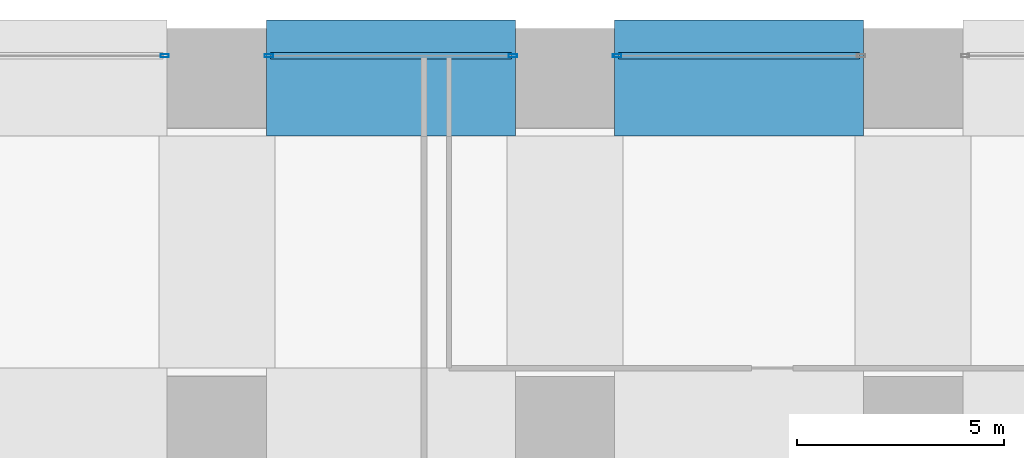
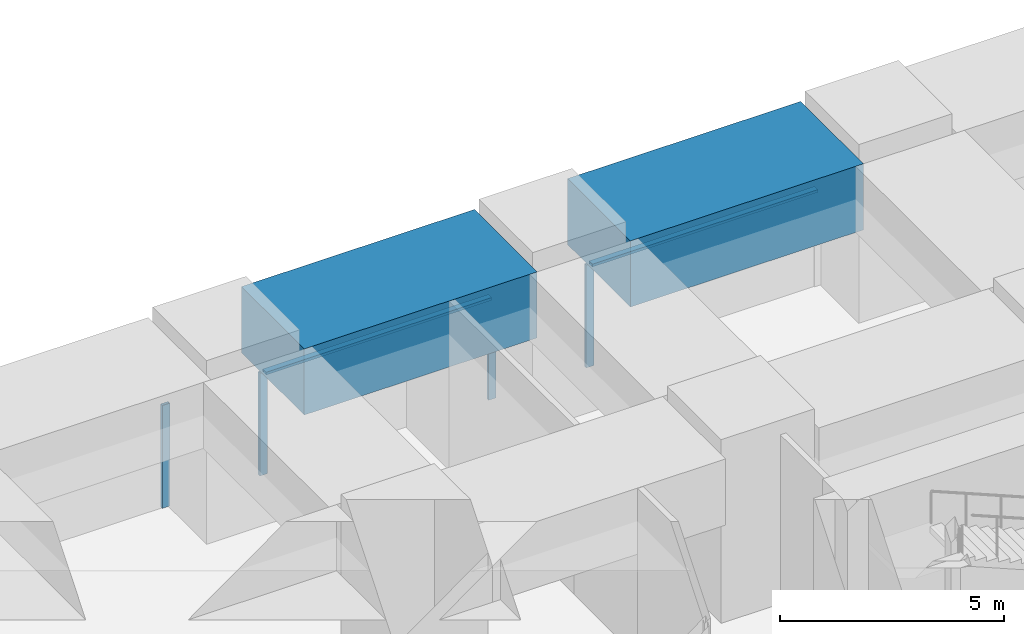
# One storey, part 25 of 52: 6 members, 2 beams, 3 elements without a shape of their own.
"""IFC4 building model written with IfcOpenShell, lengths in metres."""

from ifc_helpers import new_model, si_unit, direction, frame, origin, origin_2d, place, context, subcontext, project, spatial, rectangle, hollow_rectangle, extrude, material, material_profile, profile_set, type_object, element, aggregate, save


model = new_model("IFC4")

# Units and contexts
model_context = context("Model", 3, precision=1e-05, world=origin(), true_north=direction((0.0, 1.0)))
body_context = subcontext(model_context, "Body", "Model", "MODEL_VIEW")
ifc_project = project(units=[si_unit("LENGTHUNIT", "METRE"), si_unit("AREAUNIT", "SQUARE_METRE"), si_unit("VOLUMEUNIT", "CUBIC_METRE"), si_unit("PLANEANGLEUNIT", "RADIAN"), si_unit("MASSUNIT", "GRAM", prefix="KILO")], contexts=[model_context])

# Site, building, storey
site_placement = place(None, origin())
site = spatial("IfcSite", under=ifc_project, at=site_placement, CompositionType="ELEMENT")
building_placement = place(site_placement, origin())
building = spatial("IfcBuilding", under=site, at=building_placement, Name="Rekha Terrace Tower", CompositionType="ELEMENT")
storey_placement = place(building_placement, frame((0.0, 0.0, 20.39990234375)))
storey = spatial("IfcBuildingStorey", under=building, at=storey_placement, Name="L04", CompositionType="ELEMENT", Elevation=20.39990234375)

# Curtain wall, member
ifc_material_1 = material(Name="Aluminium framing", Category="aluminium")
curtain_wall_type = type_object("IfcCurtainWallType", Name="CW4 podium shopfront glazing", PredefinedType="USERDEFINED", material=ifc_material_1)
curtain_wall_1_placement = place(storey_placement, origin())
curtain_wall_1 = element("IfcCurtainWall", 1, at=curtain_wall_1_placement, inside=storey, type_object=curtain_wall_type, Name="CW4 shopfront curtain wall", ObjectType="SHOPFRONT CURTAIN WALL", PredefinedType="USERDEFINED")
ifc_material_2 = material(Name="Aluminium mullion section", Category="aluminium")
ifc_material_profile_1 = material_profile(ifc_material_2, hollow_rectangle(XDim=0.074951171875, YDim=0.199951171875, WallThickness=0.00390625, at=origin_2d()), Name="AL RHS 75x200")
ifc_profile_set_1 = profile_set([ifc_material_profile_1], Name="Aluminium mullion section")
member_type_1 = type_object("IfcMemberType", Name="CW4 mullion RHS 75 x 200", PredefinedType="MULLION", material=ifc_profile_set_1)
member_1_placement = place(storey_placement, frame((26.45751953125, 59.340087890625, 0.0), z_axis=(0.0, 0.0, 1.0), x_axis=(0.0, -1.0, 0.0)))
member_1 = element("IfcMember", 2, at=member_1_placement, type_object=member_type_1, Name="CW4 mullion 2", PredefinedType="MULLION", context=body_context, shape_type="SweptSolid", body=[
    extrude(hollow_rectangle(XDim=0.074951171875, YDim=0.199951171875, WallThickness=0.00390625, at=origin_2d()), origin(), (0.0, 0.0, 1.0), 2.800048828125),
])

# Curtain wall, members
curtain_wall_2_placement = place(storey_placement, origin())
curtain_wall_2 = element("IfcCurtainWall", 3, at=curtain_wall_2_placement, inside=storey, type_object=curtain_wall_type, Name="CW4 shopfront curtain wall", ObjectType="SHOPFRONT CURTAIN WALL", PredefinedType="USERDEFINED")
member_2_placement = place(storey_placement, frame((23.9423828125, 59.340087890625, 0.0), z_axis=(0.0, 0.0, 1.0), x_axis=(0.0, -1.0, 0.0)))
member_2 = element("IfcMember", 4, at=member_2_placement, type_object=member_type_1, Name="CW4 mullion 1", PredefinedType="MULLION", context=body_context, shape_type="SweptSolid", body=[
    extrude(hollow_rectangle(XDim=0.074951171875, YDim=0.199951171875, WallThickness=0.00390625, at=origin_2d()), origin(), (0.0, 0.0, 1.0), 2.800048828125),
])
member_3_placement = place(storey_placement, frame((18.0576171875, 59.340087890625, 0.0), z_axis=(0.0, 0.0, 1.0), x_axis=(0.0, -1.0, 0.0)))
member_3 = element("IfcMember", 5, at=member_3_placement, type_object=member_type_1, Name="CW4 mullion 2", PredefinedType="MULLION", context=body_context, shape_type="SweptSolid", body=[
    extrude(hollow_rectangle(XDim=0.074951171875, YDim=0.199951171875, WallThickness=0.00390625, at=origin_2d()), origin(), (0.0, 0.0, 1.0), 2.800048828125),
])

# Curtain wall, member
curtain_wall_3_placement = place(storey_placement, origin())
curtain_wall_3 = element("IfcCurtainWall", 6, at=curtain_wall_3_placement, inside=storey, type_object=curtain_wall_type, Name="CW4 shopfront curtain wall", ObjectType="SHOPFRONT CURTAIN WALL", PredefinedType="USERDEFINED")
member_4_placement = place(storey_placement, frame((15.54248046875, 59.340087890625, 0.0), z_axis=(0.0, 0.0, 1.0), x_axis=(0.0, -1.0, 0.0)))
member_4 = element("IfcMember", 7, at=member_4_placement, type_object=member_type_1, Name="CW4 mullion 1", PredefinedType="MULLION", context=body_context, shape_type="SweptSolid", body=[
    extrude(hollow_rectangle(XDim=0.074951171875, YDim=0.199951171875, WallThickness=0.00390625, at=origin_2d()), origin(), (0.0, 0.0, 1.0), 2.800048828125),
])
aggregate(curtain_wall_3, [member_4])

# Member
ifc_material_3 = material(Name="Aluminium transom section", Category="aluminium")
ifc_material_profile_2 = material_profile(ifc_material_3, hollow_rectangle(XDim=0.14990234375, YDim=0.074951171875, WallThickness=0.0029296875, at=origin_2d()), Name="AL RHS 150x75")
ifc_profile_set_2 = profile_set([ifc_material_profile_2], Name="Aluminium transom section")
member_type_2 = type_object("IfcMemberType", Name="CW4 transom RHS 75 x 150", PredefinedType="USERDEFINED", material=ifc_profile_set_2)
member_5_placement = place(storey_placement, frame((32.304931640625, 59.340087890625, 2.7626953125), z_axis=(-1.0, 0.0, 0.0), x_axis=(0.0, -1.0, 0.0)))
member_5 = element("IfcMember", 8, at=member_5_placement, type_object=member_type_2, Name="CW4 transom 1.2", ObjectType="TRANSOM", PredefinedType="USERDEFINED", context=body_context, shape_type="SweptSolid", body=[
    extrude(hollow_rectangle(XDim=0.14990234375, YDim=0.074951171875, WallThickness=0.0029296875, at=origin_2d()), origin(), (0.0, 0.0, 1.0), 5.809814453125),
])

aggregate(curtain_wall_1, [member_1, member_5])

member_6_placement = place(storey_placement, frame((23.905029296875, 59.340087890625, 2.7626953125), z_axis=(-1.0, 0.0, 0.0), x_axis=(0.0, -1.0, 0.0)))
member_6 = element("IfcMember", 9, at=member_6_placement, type_object=member_type_2, Name="CW4 transom 1.2", ObjectType="TRANSOM", PredefinedType="USERDEFINED", context=body_context, shape_type="SweptSolid", body=[
    extrude(hollow_rectangle(XDim=0.14990234375, YDim=0.074951171875, WallThickness=0.0029296875, at=origin_2d()), origin(), (0.0, 0.0, 1.0), 5.81005859375),
])

aggregate(curtain_wall_2, [member_2, member_3, member_6])

# Beams
ifc_material_4 = material(Name="Concrete M70", Category="concrete")
ifc_material_profile_3 = material_profile(ifc_material_4, rectangle(XDim=2.800048828125, YDim=1.800048828125, at=origin_2d()), Name="RC 2800x1800")
ifc_profile_set_3 = profile_set([ifc_material_profile_3], Name="Concrete M70")
beam_type = type_object("IfcBeamType", Name="G2 2800x1800 podium roof band beam", PredefinedType="BEAM", material=ifc_profile_set_3)
for number, where, z_axis, x_axis, name in (
    (10, (18.0, 58.800048828125, 3.7001953125), (1.0, 0.0, 0.0), (0.0, 1.0, 0.0), "Beam G2 3H-4H under L05"),
    (11, (26.39990234375, 58.800048828125, 3.7001953125), (1.0, 0.0, 0.0), (0.0, 1.0, 0.0), "Beam G2 4H-5H under L05"),
):
    element("IfcBeam", number, at=place(storey_placement, frame(where, z_axis=z_axis, x_axis=x_axis)), inside=storey, type_object=beam_type, Name=name, PredefinedType="BEAM", context=body_context, shape_type="SweptSolid", body=[
        extrude(rectangle(XDim=2.800048828125, YDim=1.800048828125, at=origin_2d()), origin(), (0.0, 0.0, 1.0), 6.0),
    ])

save(model, "model.ifc")
